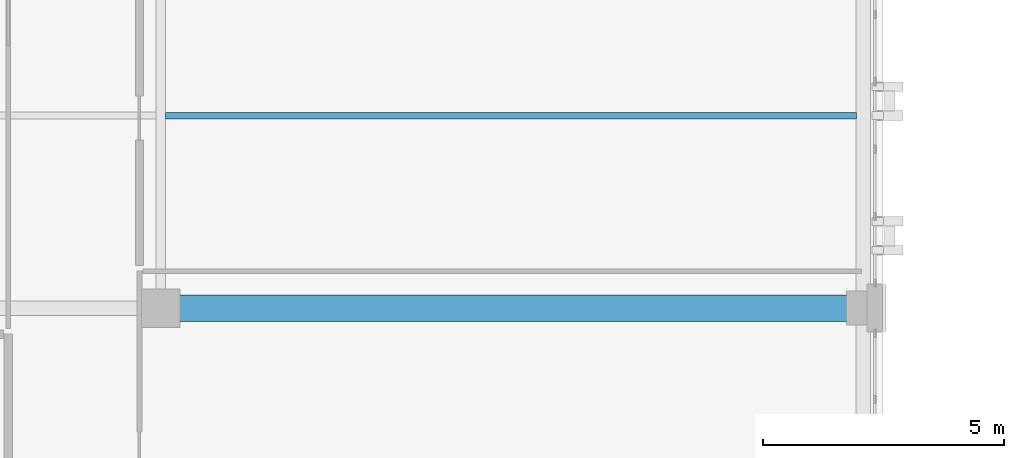
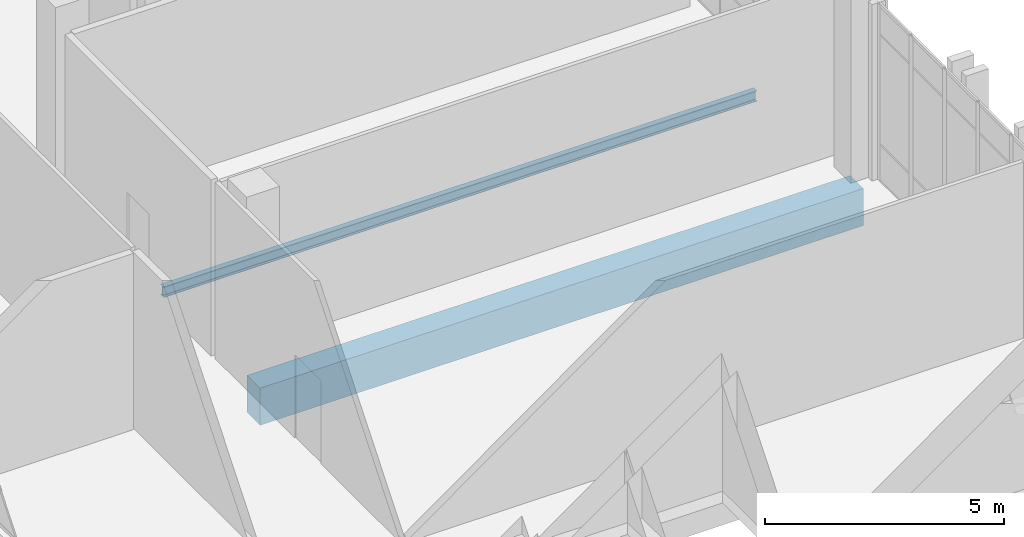
# One storey, part 64 of 189: 2 beams.
"""IFC4 building model written with IfcOpenShell, lengths in metres."""

from ifc_helpers import new_model, si_unit, direction, frame, origin, origin_2d, place, context, subcontext, project, spatial, rectangle, i_section, extrude, material, material_profile, profile_set, type_object, element, save


model = new_model("IFC4")

# Units and contexts
model_context = context("Model", 3, precision=1e-05, world=origin(), true_north=direction((0.0, 1.0)))
body_context = subcontext(model_context, "Body", "Model", "MODEL_VIEW")
ifc_project = project(units=[si_unit("LENGTHUNIT", "METRE"), si_unit("AREAUNIT", "SQUARE_METRE"), si_unit("VOLUMEUNIT", "CUBIC_METRE"), si_unit("PLANEANGLEUNIT", "RADIAN"), si_unit("MASSUNIT", "GRAM", prefix="KILO")], contexts=[model_context])

# Site, building, storey
site_placement = place(None, origin())
site = spatial("IfcSite", under=ifc_project, at=site_placement, CompositionType="ELEMENT")
building_placement = place(site_placement, origin())
building = spatial("IfcBuilding", under=site, at=building_placement, Name="Qalavern Law Courts", CompositionType="ELEMENT")
storey_placement = place(building_placement, frame((0.0, 0.0, 5.39990234375)))
storey = spatial("IfcBuildingStorey", under=building, at=storey_placement, Name="L01", CompositionType="ELEMENT", Elevation=5.39990234375)

# Beams
ifc_material_1 = material(Name="Concrete C40/50", Category="concrete")
ifc_material_profile_1 = material_profile(ifc_material_1, rectangle(XDim=0.550048828125, YDim=0.949951171875, at=origin_2d()), Name="RC 550x950")
ifc_profile_set_1 = profile_set([ifc_material_profile_1], Name="Concrete C40/50")
beam_type_1 = type_object("IfcBeamType", Name="STR-BM-RC550x950", PredefinedType="BEAM", material=ifc_profile_set_1)
beam_1_placement = place(storey_placement, frame((91.800048828125, 57.39990234375, -0.77490234375), z_axis=(1.0, 0.0, 0.0), x_axis=(0.0, 1.0, 0.0)))
element("IfcBeam", 1, at=beam_1_placement, inside=storey, type_object=beam_type_1, Name="V4 X-beam 3-2 L01", PredefinedType="BEAM", context=body_context, shape_type="SweptSolid", body=[
    extrude(rectangle(XDim=0.550048828125, YDim=0.949951171875, at=origin_2d()), origin(), (0.0, 0.0, 1.0), 14.599853515625),
])
ifc_material_2 = material(Name="Steel S355", Category="steel")
ifc_material_profile_2 = material_profile(ifc_material_2, i_section(OverallWidth=0.135009765625, OverallDepth=0.27001953125, WebThickness=0.006591796875, FlangeThickness=0.01025390625, FilletRadius=0.014892578125, at=origin_2d()), Name="IPE 270")
ifc_profile_set_2 = profile_set([ifc_material_profile_2], Name="Steel S355")
beam_type_2 = type_object("IfcBeamType", Name="STR-JST-IPE270", PredefinedType="JOIST", material=ifc_profile_set_2)
beam_2_placement = place(storey_placement, frame((91.89794921875, 61.39990234375, -0.434814453125), z_axis=(1.0, 0.0, 0.0), x_axis=(0.0, 1.0, 0.0)))
element("IfcBeam", 2, at=beam_2_placement, inside=storey, type_object=beam_type_2, Name="V4 secondary joist 2.3.1 L01", PredefinedType="JOIST", context=body_context, shape_type="SweptSolid", body=[
    extrude(i_section(OverallWidth=0.135009765625, OverallDepth=0.27001953125, WebThickness=0.006591796875, FlangeThickness=0.01025390625, FilletRadius=0.014892578125, at=origin_2d()), origin(), (0.0, 0.0, 1.0), 14.35400390625),
])

save(model, "model.ifc")
